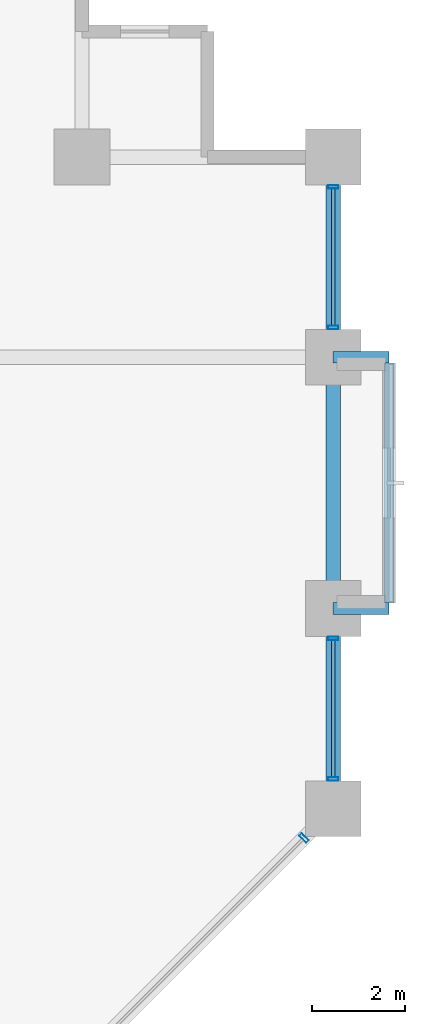
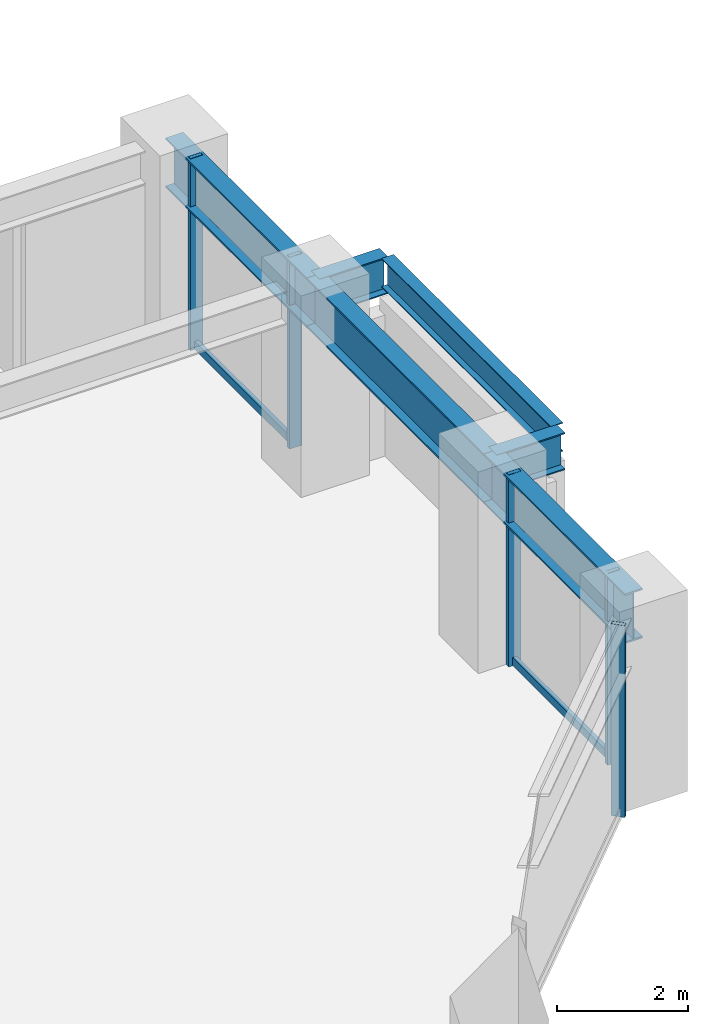
# One storey, part 17 of 26: 7 members, 6 beams, 3 elements without a shape of their own.
"""IFC4 building model written with IfcOpenShell, lengths in metres."""

from ifc_helpers import new_model, si_unit, direction, frame, origin, origin_2d, place, context, subcontext, project, spatial, hollow_rectangle, i_section, extrude, material, layer, layer_set, material_profile, profile_set, type_object, element, aggregate, save


model = new_model("IFC4")

# Units and contexts
model_context = context("Model", 3, precision=1e-05, world=origin(), true_north=direction((0.0, 1.0)))
body_context = subcontext(model_context, "Body", "Model", "MODEL_VIEW")
ifc_project = project(units=[si_unit("LENGTHUNIT", "METRE"), si_unit("AREAUNIT", "SQUARE_METRE"), si_unit("VOLUMEUNIT", "CUBIC_METRE"), si_unit("PLANEANGLEUNIT", "RADIAN"), si_unit("MASSUNIT", "GRAM", prefix="KILO")], contexts=[model_context])

# Site, building, storey
site_placement = place(None, origin())
site = spatial("IfcSite", under=ifc_project, at=site_placement, CompositionType="ELEMENT")
building_placement = place(site_placement, origin())
building = spatial("IfcBuilding", under=site, at=building_placement, Name="Surkhivell Harbour Commons", CompositionType="ELEMENT")
storey_placement = place(building_placement, frame((0.0, 0.0, 60.0)))
storey = spatial("IfcBuildingStorey", under=building, at=storey_placement, Name="L15", CompositionType="ELEMENT", Elevation=60.0)

# Beams
ifc_material_1 = material(Name="Steel S460", Category="steel")
ifc_material_profile_1 = material_profile(ifc_material_1, i_section(OverallWidth=0.256103515625, OverallDepth=0.693115234375, WebThickness=0.014404296875, FlangeThickness=0.023681640625, at=origin_2d()), Name="UB686x254x170")
ifc_profile_set_1 = profile_set([ifc_material_profile_1], Name="Steel S460")
beam_type_1 = type_object("IfcBeamType", Name="BM-CNT-686", PredefinedType="BEAM", material=ifc_profile_set_1)
for number, where, z_axis, x_axis, name in (
    (1, (32.39990234375, 10.800048828125, 3.223388671875), (1.0, 0.0, 0.0), (0.0, 1.0, 0.0), "L15 Box Cantilever Outrigger (32.4,10.8)"),
    (2, (32.39990234375, 16.199951171875, 3.223388671875), (1.0, 0.0, 0.0), (0.0, 1.0, 0.0), "L15 Box Cantilever Outrigger (32.4,16.2)"),
):
    element("IfcBeam", number, at=place(storey_placement, frame(where, z_axis=z_axis, x_axis=x_axis)), inside=storey, type_object=beam_type_1, Name=name, PredefinedType="BEAM", context=body_context, shape_type="SweptSolid", body=[
        extrude(i_section(OverallWidth=0.256103515625, OverallDepth=0.693115234375, WebThickness=0.014404296875, FlangeThickness=0.023681640625, at=origin_2d()), origin(), (0.0, 0.0, 1.0), 1.2001953125),
    ])
ifc_material_2 = material(Name="Steel S355", Category="steel")
ifc_material_profile_2 = material_profile(ifc_material_2, i_section(OverallWidth=0.2099609375, OverallDepth=0.537109375, WebThickness=0.0107421875, FlangeThickness=0.017333984375, at=origin_2d()), Name="UB533x210x101")
ifc_profile_set_2 = profile_set([ifc_material_profile_2], Name="Steel S355")
beam_type_2 = type_object("IfcBeamType", Name="BM-GRD-533B", PredefinedType="BEAM", material=ifc_profile_set_2)
beam_1_placement = place(storey_placement, frame((33.60009765625, 10.922119140625, 3.301513671875), z_axis=(0.0, 1.0, 0.0), x_axis=(-1.0, 0.0, 0.0)))
element("IfcBeam", 3, at=beam_1_placement, inside=storey, type_object=beam_type_2, Name="L15 Box Rim Spandrel (33.6,10.8)", PredefinedType="BEAM", context=body_context, shape_type="SweptSolid", body=[
    extrude(i_section(OverallWidth=0.2099609375, OverallDepth=0.537109375, WebThickness=0.0107421875, FlangeThickness=0.017333984375, at=origin_2d()), origin(), (0.0, 0.0, 1.0), 5.15576171875),
])
ifc_material_profile_3 = material_profile(ifc_material_1, i_section(OverallWidth=0.30810546875, OverallDepth=0.927001953125, WebThickness=0.01953125, FlangeThickness=0.031982421875, at=origin_2d()), Name="UB914x305x289")
ifc_profile_set_3 = profile_set([ifc_material_profile_3], Name="Steel S460")
beam_type_3 = type_object("IfcBeamType", Name="BM-SPN-914B", PredefinedType="SPANDREL", material=ifc_profile_set_3)
beam_2_placement = place(storey_placement, frame((32.39990234375, 6.5, 3.1064453125), z_axis=(0.0, 1.0, 0.0), x_axis=(-1.0, 0.0, 0.0)))
element("IfcBeam", 4, at=beam_2_placement, inside=storey, type_object=beam_type_3, Name="L15 Tube Spandrel (32.4,6.5)", PredefinedType="SPANDREL", context=body_context, shape_type="SweptSolid", body=[
    extrude(i_section(OverallWidth=0.30810546875, OverallDepth=0.927001953125, WebThickness=0.01953125, FlangeThickness=0.031982421875, at=origin_2d()), origin(), (0.0, 0.0, 1.0), 4.300048828125),
])
beam_3_placement = place(storey_placement, frame((32.39990234375, 10.800048828125, 3.1064453125), z_axis=(0.0, 1.0, 0.0), x_axis=(-1.0, 0.0, 0.0)))
element("IfcBeam", 5, at=beam_3_placement, inside=storey, type_object=beam_type_3, Name="L15 Tube Spandrel (32.4,10.8)", PredefinedType="SPANDREL", context=body_context, shape_type="SweptSolid", body=[
    extrude(i_section(OverallWidth=0.30810546875, OverallDepth=0.927001953125, WebThickness=0.01953125, FlangeThickness=0.031982421875, at=origin_2d()), origin(), (0.0, 0.0, 1.0), 5.39990234375),
])
beam_4_placement = place(storey_placement, frame((32.39990234375, 16.199951171875, 3.1064453125), z_axis=(0.0, 1.0, 0.0), x_axis=(-1.0, 0.0, 0.0)))
element("IfcBeam", 6, at=beam_4_placement, inside=storey, type_object=beam_type_3, Name="L15 Tube Spandrel (32.4,16.2)", PredefinedType="SPANDREL", context=body_context, shape_type="SweptSolid", body=[
    extrude(i_section(OverallWidth=0.30810546875, OverallDepth=0.927001953125, WebThickness=0.01953125, FlangeThickness=0.031982421875, at=origin_2d()), origin(), (0.0, 0.0, 1.0), 4.300048828125),
])

# Curtain wall, member
ifc_material_3 = material(Name="Anodised pale-metal aluminium and insulated glazing", Category="aluminium")
ifc_layer = layer(ifc_material_3, 0.219970703125)
ifc_layer_set = layer_set([ifc_layer], Name="Anodised pale-metal aluminium and insulated glazing")
curtain_wall_type = type_object("IfcCurtainWallType", Name="CW-SYS-Z1", PredefinedType="NOTDEFINED", material=ifc_layer_set)
curtain_wall_1_placement = place(storey_placement, origin())
curtain_wall_1 = element("IfcCurtainWall", 7, at=curtain_wall_1_placement, inside=storey, type_object=curtain_wall_type, Name="L15 Curtain Wall CW-L15-E01", PredefinedType="NOTDEFINED")
ifc_material_4 = material(Name="Anodised pale-metal aluminium alloy 6063-T6", Category="aluminium")
ifc_material_profile_4 = material_profile(ifc_material_4, hollow_rectangle(XDim=0.074951171875, YDim=0.219970703125, WallThickness=0.00390625, at=origin_2d()), Name="ALU-MULL-75x220")
ifc_profile_set_4 = profile_set([ifc_material_profile_4], Name="Anodised pale-metal aluminium alloy 6063-T6")
member_type_1 = type_object("IfcMemberType", Name="CWM-220", PredefinedType="MULLION", material=ifc_profile_set_4)
member_1_placement = place(storey_placement, frame((31.771728515625, 5.871826171875, 0.0), z_axis=(0.0, 0.0, 1.0), x_axis=(0.707106781187, 0.707106781187, 0.0)))
member_1 = element("IfcMember", 8, at=member_1_placement, type_object=member_type_1, Name="CW-Z1 mullion 8", PredefinedType="MULLION", context=body_context, shape_type="SweptSolid", body=[
    extrude(hollow_rectangle(XDim=0.074951171875, YDim=0.219970703125, WallThickness=0.00390625, at=origin_2d()), origin(), (0.0, 0.0, 1.0), 3.570068359375),
])
aggregate(curtain_wall_1, [member_1])

# Curtain wall, members
curtain_wall_2_placement = place(storey_placement, origin())
curtain_wall_2 = element("IfcCurtainWall", 9, at=curtain_wall_2_placement, inside=storey, type_object=curtain_wall_type, Name="L15 Curtain Wall CW-L15-E02R1", PredefinedType="NOTDEFINED")
member_2_placement = place(storey_placement, frame((32.39990234375, 7.139404296875, 0.0), z_axis=(0.0, 0.0, 1.0), x_axis=(0.0, 1.0, 0.0)))
member_2 = element("IfcMember", 10, at=member_2_placement, type_object=member_type_1, Name="CW-Z1 mullion 1", PredefinedType="MULLION", context=body_context, shape_type="SweptSolid", body=[
    extrude(hollow_rectangle(XDim=0.074951171875, YDim=0.219970703125, WallThickness=0.00390625, at=origin_2d()), origin(), (0.0, 0.0, 1.0), 3.570068359375),
])
member_3_placement = place(storey_placement, frame((32.39990234375, 10.160400390625, 0.0), z_axis=(0.0, 0.0, 1.0), x_axis=(0.0, 1.0, 0.0)))
member_3 = element("IfcMember", 11, at=member_3_placement, type_object=member_type_1, Name="CW-Z1 mullion 2", PredefinedType="MULLION", context=body_context, shape_type="SweptSolid", body=[
    extrude(hollow_rectangle(XDim=0.074951171875, YDim=0.219970703125, WallThickness=0.00390625, at=origin_2d()), origin(), (0.0, 0.0, 1.0), 3.570068359375),
])

curtain_wall_3_placement = place(storey_placement, origin())
curtain_wall_3 = element("IfcCurtainWall", 12, at=curtain_wall_3_placement, inside=storey, type_object=curtain_wall_type, Name="L15 Curtain Wall CW-L15-E02R2", PredefinedType="NOTDEFINED")
member_4_placement = place(storey_placement, frame((32.39990234375, 16.839599609375, 0.0), z_axis=(0.0, 0.0, 1.0), x_axis=(0.0, 1.0, 0.0)))
member_4 = element("IfcMember", 13, at=member_4_placement, type_object=member_type_1, Name="CW-Z1 mullion 1", PredefinedType="MULLION", context=body_context, shape_type="SweptSolid", body=[
    extrude(hollow_rectangle(XDim=0.074951171875, YDim=0.219970703125, WallThickness=0.00390625, at=origin_2d()), origin(), (0.0, 0.0, 1.0), 3.570068359375),
])
member_5_placement = place(storey_placement, frame((32.39990234375, 19.860595703125, 0.0), z_axis=(0.0, 0.0, 1.0), x_axis=(0.0, 1.0, 0.0)))
member_5 = element("IfcMember", 14, at=member_5_placement, type_object=member_type_1, Name="CW-Z1 mullion 2", PredefinedType="MULLION", context=body_context, shape_type="SweptSolid", body=[
    extrude(hollow_rectangle(XDim=0.074951171875, YDim=0.219970703125, WallThickness=0.00390625, at=origin_2d()), origin(), (0.0, 0.0, 1.0), 3.570068359375),
])

# Member
ifc_material_profile_5 = material_profile(ifc_material_4, hollow_rectangle(XDim=0.074951171875, YDim=0.14990234375, WallThickness=0.00341796875, at=origin_2d()), Name="ALU-TRAN-75x150")
ifc_profile_set_5 = profile_set([ifc_material_profile_5], Name="Anodised pale-metal aluminium alloy 6063-T6")
member_type_2 = type_object("IfcMemberType", Name="CWT-150", PredefinedType="USERDEFINED", material=ifc_profile_set_5)
member_6_placement = place(storey_placement, frame((32.39990234375, 7.177001953125, 0.074951171875), z_axis=(0.0, 1.0, 0.0), x_axis=(-1.0, 0.0, 0.0)))
member_6 = element("IfcMember", 15, at=member_6_placement, type_object=member_type_2, Name="CW-Z1 transom 1.1", ObjectType="TRANSOM", PredefinedType="USERDEFINED", context=body_context, shape_type="SweptSolid", body=[
    extrude(hollow_rectangle(XDim=0.074951171875, YDim=0.14990234375, WallThickness=0.00341796875, at=origin_2d()), origin(), (0.0, 0.0, 1.0), 2.946044921875),
])

aggregate(curtain_wall_2, [member_2, member_3, member_6])

member_7_placement = place(storey_placement, frame((32.39990234375, 16.876953125, 0.074951171875), z_axis=(0.0, 1.0, 0.0), x_axis=(-1.0, 0.0, 0.0)))
member_7 = element("IfcMember", 16, at=member_7_placement, type_object=member_type_2, Name="CW-Z1 transom 1.1", ObjectType="TRANSOM", PredefinedType="USERDEFINED", context=body_context, shape_type="SweptSolid", body=[
    extrude(hollow_rectangle(XDim=0.074951171875, YDim=0.14990234375, WallThickness=0.00341796875, at=origin_2d()), origin(), (0.0, 0.0, 1.0), 2.946044921875),
])

aggregate(curtain_wall_3, [member_4, member_5, member_7])

save(model, "model.ifc")
